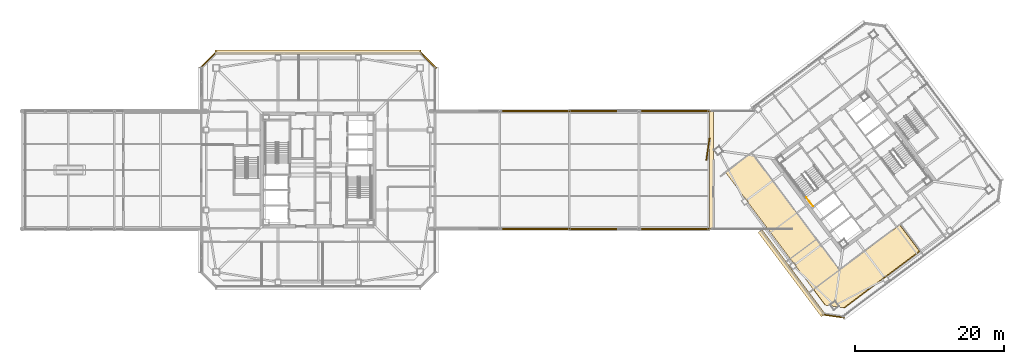
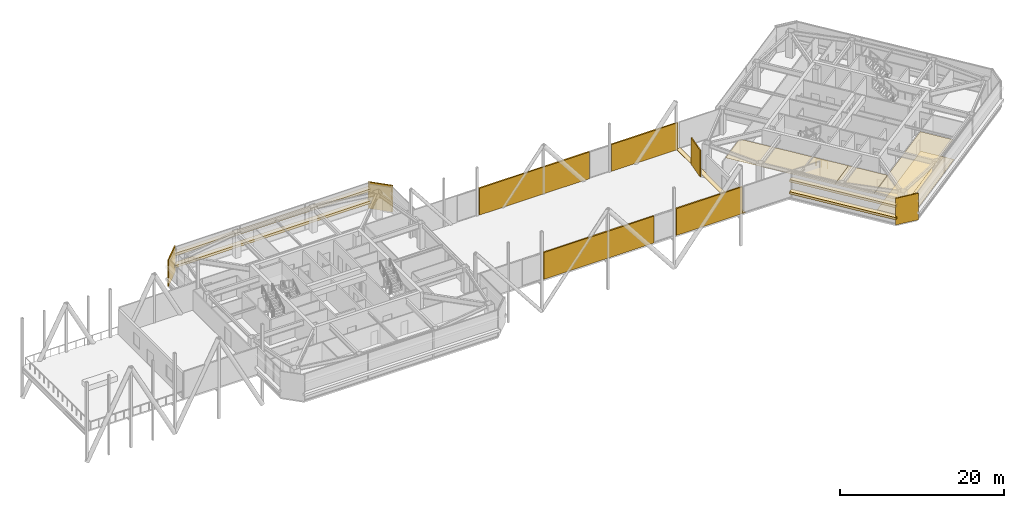
# One storey, part 50 of 53: 17 coverings, 1 railing.
"""IFC4 building model written with IfcOpenShell, lengths in metres."""

from ifc_helpers import new_model, si_unit, direction, frame, origin, origin_2d, place, context, subcontext, project, spatial, polyline, rectangle, outline, extrude, material, layer, layer_set, type_object, element, save


model = new_model("IFC4")

# Units and contexts
model_context = context("Model", 3, precision=1e-05, world=origin(), true_north=direction((0.0, 1.0)))
body_context = subcontext(model_context, "Body", "Model", "MODEL_VIEW")
ifc_project = project(units=[si_unit("LENGTHUNIT", "METRE"), si_unit("AREAUNIT", "SQUARE_METRE"), si_unit("VOLUMEUNIT", "CUBIC_METRE"), si_unit("PLANEANGLEUNIT", "RADIAN"), si_unit("MASSUNIT", "GRAM", prefix="KILO")], contexts=[model_context])

# Site, building, storey
site_placement = place(None, origin())
site = spatial("IfcSite", under=ifc_project, at=site_placement, CompositionType="ELEMENT")
building_placement = place(site_placement, origin())
building = spatial("IfcBuilding", under=site, at=building_placement, Name="Tashvorn Skyway Center", CompositionType="ELEMENT")
storey_placement = place(building_placement, frame((0.0, 0.0, 255.39990234375)))
storey = spatial("IfcBuildingStorey", under=building, at=storey_placement, Name="L69", CompositionType="ELEMENT", Elevation=255.39990234375)

# Coverings
ifc_material_1 = material(Name="Precast concrete C40/50", Category="concrete")
ifc_layer_1 = layer(ifc_material_1, 0.199951171875)
ifc_layer_set_1 = layer_set([ifc_layer_1], Name="Precast concrete C40/50")
covering_type_1 = type_object("IfcCoveringType", Name="COV-BRACE-CLAD", PredefinedType="CLADDING", material=ifc_layer_set_1)
covering_1_placement = place(storey_placement, frame((90.027587890625, 24.10009765625, 0.0), z_axis=(0.0, 0.0, 1.0), x_axis=(-1.0, 0.0, 0.0)))
element("IfcCovering", 1, at=covering_1_placement, inside=storey, type_object=covering_type_1, Name="Sky-Park L69 Bridge South Curtain Wall Mega-Brace Cladding Band 1", PredefinedType="CLADDING", context=body_context, shape_type="SweptSolid", body=[
    extrude(rectangle(XDim=9.344970703125, YDim=0.199951171875, at=origin_2d()), origin(), (0.0, 0.0, 1.0), 4.0),
])
for number, where, z_axis, x_axis, name in (
    (2, (74.452392578125, 24.10009765625, 0.0), (0.0, 0.0, 1.0), (-1.0, 0.0, 0.0), "Sky-Park L69 Bridge South Curtain Wall Mega-Brace Cladding Band 2"),
    (3, (74.452392578125, 39.89990234375, 0.0), (0.0, 0.0, 1.0), (1.0, 0.0, 0.0), "Sky-Park L69 Bridge North Curtain Wall Mega-Brace Cladding Band 2"),
):
    element("IfcCovering", number, at=place(storey_placement, frame(where, z_axis=z_axis, x_axis=x_axis)), inside=storey, type_object=covering_type_1, Name=name, PredefinedType="CLADDING", context=body_context, shape_type="SweptSolid", body=[
        extrude(rectangle(XDim=15.574951171875, YDim=0.199951171875, at=origin_2d()), origin(), (0.0, 0.0, 1.0), 4.0),
    ])
covering_2_placement = place(storey_placement, frame((90.027587890625, 39.89990234375, 0.0), z_axis=(0.0, 0.0, 1.0), x_axis=(1.0, 0.0, 0.0)))
element("IfcCovering", 4, at=covering_2_placement, inside=storey, type_object=covering_type_1, Name="Sky-Park L69 Bridge North Curtain Wall Mega-Brace Cladding Band 3", PredefinedType="CLADDING", context=body_context, shape_type="SweptSolid", body=[
    extrude(rectangle(XDim=9.344970703125, YDim=0.199951171875, at=origin_2d()), origin(), (0.0, 0.0, 1.0), 4.0),
])
ifc_material_2 = material(Name="Mineral-fibre acoustic ceiling tile on suspended grid")
ifc_layer_2 = layer(ifc_material_2, 0.02001953125)
ifc_layer_set_2 = layer_set([ifc_layer_2], Name="Mineral-fibre acoustic ceiling tile on suspended grid")
covering_type_2 = type_object("IfcCoveringType", Name="COV-CEIL-20", PredefinedType="CEILING", material=ifc_layer_set_2)
covering_3_placement = place(storey_placement, frame((0.0, 0.0, 2.951171875)))
element("IfcCovering", 5, at=covering_3_placement, inside=storey, type_object=covering_type_2, Name="Tower 2 L69 Open Plan Office Acoustic Ceiling", PredefinedType="CEILING", context=body_context, shape_type="SweptSolid", body=[
    extrude(outline(polyline([(108.58203125, 15.924072265625), (120.14990234375, 24.60009765625), (122.77197265625, 21.10400390625), (112.612060546875, 13.48388671875), (110.14794921875, 13.8359375), (108.58203125, 15.924072265625)])), origin(), (0.0, 0.0, 1.0), 0.02001953125),
])
covering_4_placement = place(storey_placement, frame((0.0, 0.0, 2.951171875)))
element("IfcCovering", 6, at=covering_4_placement, inside=storey, type_object=covering_type_2, Name="Tower 2 L69 Breakout Lounge Acoustic Ceiling", PredefinedType="CEILING", context=body_context, shape_type="SweptSolid", body=[
    extrude(outline(polyline([(108.5419921875, 15.944091796875), (112.0380859375, 18.56591796875), (108.93603515625, 22.701904296875), (105.43994140625, 20.080078125), (108.5419921875, 15.944091796875)])), origin(), (0.0, 0.0, 1.0), 0.02001953125),
])
covering_5_placement = place(storey_placement, frame((0.0, 0.0, 2.951171875)))
element("IfcCovering", 7, at=covering_5_placement, inside=storey, type_object=covering_type_2, Name="Tower 2 L69 Open Plan Office Acoustic Ceiling", PredefinedType="CEILING", context=body_context, shape_type="SweptSolid", body=[
    extrude(outline(polyline([(105.43994140625, 20.080078125), (108.93603515625, 22.701904296875), (100.236083984375, 34.302001953125), (96.739990234375, 31.679931640625), (105.43994140625, 20.080078125)])), origin(), (0.0, 0.0, 1.0), 0.02001953125),
])
ifc_material_3 = material(Name="Polished Mojave desert-aggregate terrazzo and cover plate")
ifc_layer_3 = layer(ifc_material_3, 0.0400390625)
ifc_layer_set_3 = layer_set([ifc_layer_3], Name="Polished Mojave desert-aggregate terrazzo and cover plate")
covering_type_3 = type_object("IfcCoveringType", Name="COV-FLR-40", PredefinedType="FLOORING", material=ifc_layer_set_3)
covering_6_placement = place(storey_placement, origin())
element("IfcCovering", 8, at=covering_6_placement, inside=storey, type_object=covering_type_3, Name="Tower 2 L69 Open Plan Office Finish Flooring", PredefinedType="FLOORING", context=body_context, shape_type="SweptSolid", body=[
    extrude(outline(polyline([(112.780029296875, 13.4599609375), (110.092041015625, 13.843994140625), (108.573974609375, 15.867919921875), (120.2060546875, 24.592041015625), (122.8759765625, 21.031982421875), (112.780029296875, 13.4599609375)])), origin(), (0.0, 0.0, 1.0), 0.0400390625),
])
covering_7_placement = place(storey_placement, origin())
element("IfcCovering", 9, at=covering_7_placement, inside=storey, type_object=covering_type_3, Name="Sky-Park L69 Seismic Movement Joint Terrazzo Cover Plate", PredefinedType="FLOORING", context=body_context, shape_type="SweptSolid", body=[
    extrude(outline(polyline([(94.550048828125, 24.0), (95.14990234375, 24.0), (95.14990234375, 40.0), (94.550048828125, 40.0), (94.550048828125, 24.0)])), origin(), (0.0, 0.0, 1.0), 0.0400390625),
])
ifc_material_4 = material(Name="Perforated ceramic-coated bronze aluminium solar screen", Category="aluminium")
ifc_layer_4 = layer(ifc_material_4, 0.85009765625)
ifc_layer_set_4 = layer_set([ifc_layer_4], Name="Perforated ceramic-coated bronze aluminium solar screen")
covering_type_4 = type_object("IfcCoveringType", Name="COV-SOLAR-BAND", PredefinedType="CLADDING", material=ifc_layer_set_4)
for number, where, z_axis, x_axis, name in (
    (10, (42.0, 47.820068359375, 0.919921875), (0.0, 0.0, 1.0), (1.0, 0.0, 0.0), "L69 Perforated Ceramic-Metal Solar Screen Louvre Band North 1"),
    (11, (42.0, 47.820068359375, 2.72021484375), (0.0, 0.0, 1.0), (1.0, 0.0, 0.0), "L69 Perforated Ceramic-Metal Solar Screen Louvre Band North 2"),
):
    element("IfcCovering", number, at=place(storey_placement, frame(where, z_axis=z_axis, x_axis=x_axis)), inside=storey, type_object=covering_type_4, Name=name, PredefinedType="CLADDING", context=body_context, shape_type="SweptSolid", body=[
        extrude(rectangle(XDim=27.679931640625, YDim=0.639892578125, at=origin_2d()), origin(), (0.0, 0.0, 1.0), 0.360107421875),
    ])
for number, where, z_axis, x_axis, name in (
    (12, (105.623046875, 18.135986328125, 0.919921875), (0.0, 0.0, 1.0), (-0.600000004945, 0.799999996291, 0.0), "L69 Perforated Ceramic-Metal Solar Screen Louvre Band West 1"),
    (13, (105.623046875, 18.135986328125, 2.72021484375), (0.0, 0.0, 1.0), (-0.600000004945, 0.799999996291, 0.0), "L69 Perforated Ceramic-Metal Solar Screen Louvre Band West 2"),
):
    element("IfcCovering", number, at=place(storey_placement, frame(where, z_axis=z_axis, x_axis=x_axis)), inside=storey, type_object=covering_type_4, Name=name, PredefinedType="CLADDING", context=body_context, shape_type="SweptSolid", body=[
        extrude(rectangle(XDim=14.14990234375, YDim=0.639892578125, at=origin_2d()), origin(), (0.0, 0.0, 1.0), 0.360107421875),
    ])
ifc_layer_5 = layer(ifc_material_1, 0.35009765625)
ifc_layer_set_5 = layer_set([ifc_layer_5], Name="Precast concrete C40/50")
covering_type_5 = type_object("IfcCoveringType", Name="COV-STONE-TRIM", PredefinedType="CLADDING", material=ifc_layer_set_5)
for number, where, z_axis, x_axis, name in (
    (14, (27.22998046875, 46.77001953125, 0.02001953125), (0.0, 0.0, 1.0), (-0.707106781187, -0.707106781187, 0.0), "Tower 1 L69 NW Mojave Limestone Corner Quoin"),
    (15, (56.77001953125, 46.77001953125, 0.02001953125), (0.0, 0.0, 1.0), (0.707106781187, -0.707106781187, 0.0), "Tower 1 L69 NE Mojave Limestone Corner Quoin"),
):
    element("IfcCovering", number, at=place(storey_placement, frame(where, z_axis=z_axis, x_axis=x_axis)), inside=storey, type_object=covering_type_5, Name=name, PredefinedType="CLADDING", context=body_context, shape_type="SweptSolid", body=[
        extrude(rectangle(XDim=3.1298828125, YDim=0.139892578125, at=origin_2d()), origin(), (0.0, 0.0, 1.0), 3.9599609375),
    ])
for number, where, z_axis, x_axis, name in (
    (16, (111.196044921875, 12.3720703125, 0.02001953125), (0.0, 0.0, 1.0), (-0.989949494535, 0.141421350118, 0.0), "Tower 2 L69 SW Mojave Limestone Corner Quoin"),
    (17, (94.3720703125, 34.803955078125, 0.02001953125), (0.0, 0.0, 1.0), (-0.141421350118, -0.989949494535, 0.0), "Tower 2 L69 NW Mojave Limestone Corner Quoin"),
):
    element("IfcCovering", number, at=place(storey_placement, frame(where, z_axis=z_axis, x_axis=x_axis)), inside=storey, type_object=covering_type_5, Name=name, PredefinedType="CLADDING", context=body_context, shape_type="SweptSolid", body=[
        extrude(rectangle(XDim=2.98828125, YDim=0.139892578125, at=origin_2d()), origin(), (0.0, 0.0, 1.0), 3.9599609375),
    ])

# Railing
ifc_material_5 = material(Name="Painted galvanized steel S355", Category="steel")
railing_type = type_object("IfcRailingType", Name="RAIL-STGUARD-1100", PredefinedType="GUARDRAIL", material=ifc_material_5)
railing_placement = place(storey_placement, frame((108.49609375, 27.1220703125, 0.0)))
element("IfcRailing", 18, at=railing_placement, inside=storey, type_object=railing_type, Name="L69 ST-T2-1 stair guard 6", PredefinedType="GUARDRAIL", context=body_context, shape_type="SweptSolid", body=[
    extrude(rectangle(XDim=0.048095703125, YDim=0.048095703125, at=origin_2d()), frame((0.0, 0.0, 1.076171875), z_axis=(-0.600102796382, 0.799922892393, 0.0), x_axis=(-0.799922892393, -0.600102796382, 0.0)), (0.0, 0.0, 1.0), 1.52001953125),
    extrude(rectangle(XDim=0.0419921875, YDim=0.0419921875, at=origin_2d()), origin(), (0.0, 0.0, 1.0), 1.052001953125),
    extrude(rectangle(XDim=0.0419921875, YDim=0.0419921875, at=origin_2d()), frame((-0.4560546875, 0.60791015625, 0.0)), (0.0, 0.0, 1.0), 1.052001953125),
    extrude(rectangle(XDim=0.0419921875, YDim=0.0419921875, at=origin_2d()), frame((-0.912109375, 1.2158203125, 0.0)), (0.0, 0.0, 1.0), 1.052001953125),
])

save(model, "model.ifc")
